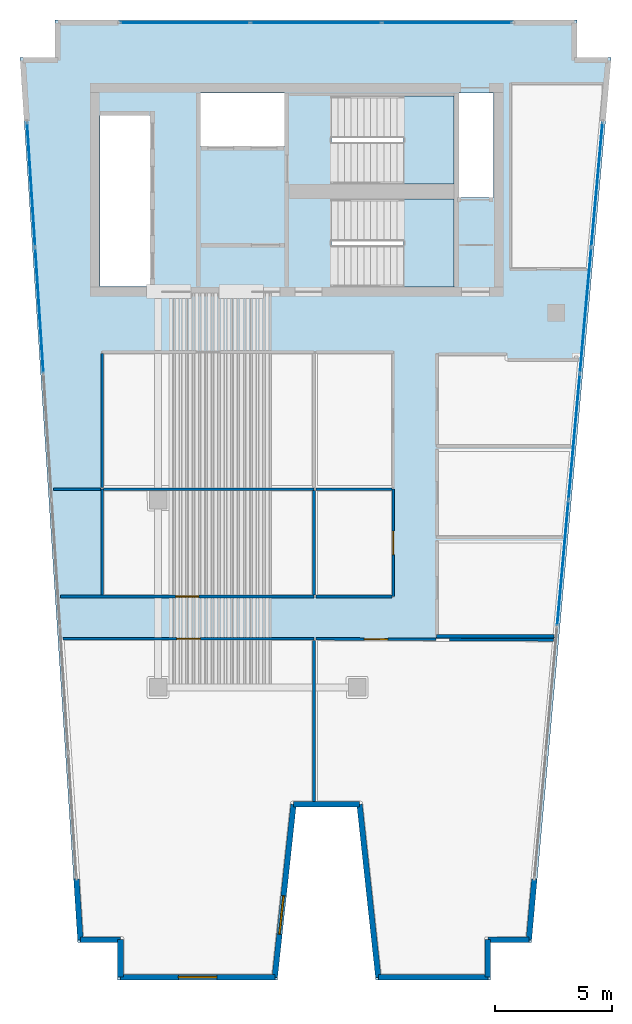
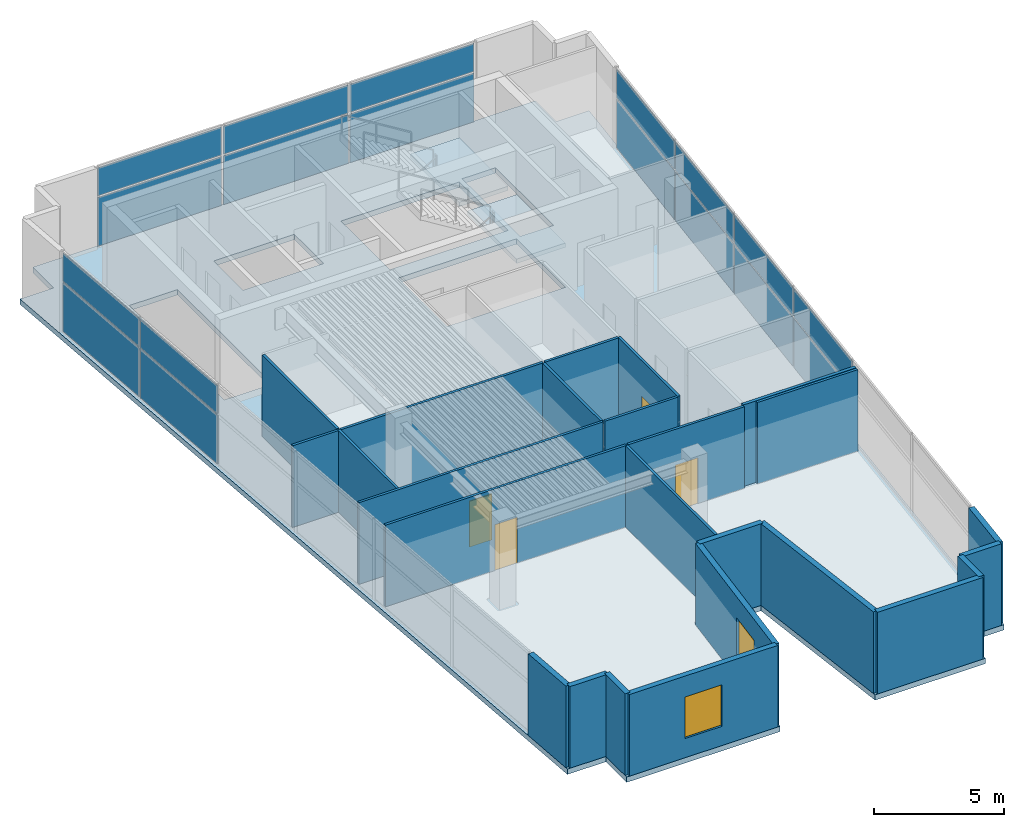
# One storey, part 3 of 7: 25 walls, 18 plates, 4 doors, 3 slabs, 2 windows, 6 openings, 5 elements without a shape of their own.
"""IFC4 building model written with IfcOpenShell, lengths in metres."""

import ifcopenshell
import ifcopenshell.guid

model = None  # the IFC model being written
_history = None  # IfcOwnerHistory: only IFC2X3 demands one
_inside = {}  # id of a spatial element -> (the spatial element, [elements in it])
_under = {}  # id of a project, library or spatial element -> (it, [spatial elements below it])
_declared = {}  # id of a project -> (the project, [libraries it declares])
_typed = {}  # id of a type object -> (the type object, [elements of that type])
_made_of = {}  # id of a material, layer set ... -> (it, [elements and type objects made of it])


def new_model(schema):
    """Start an empty IFC model of exactly this schema.

    Asked for "IFC4X3", IfcOpenShell would pick the latest addendum, in which some entities
    have other attributes; the version numbers below select the first issue.
    IFC2X3 requires an IfcOwnerHistory on every rooted entity: one is made here for all.
    """
    global model, _history
    if schema == "IFC4X3":
        model = ifcopenshell.file(schema_version=(4, 3, 0, 0))
    else:
        model = ifcopenshell.file(schema=schema)
    _inside.clear()
    _under.clear()
    _declared.clear()
    _typed.clear()
    _made_of.clear()
    _history = None
    if model.schema == "IFC2X3":
        org = make("IfcOrganization", Name="unknown")
        user = make(
            "IfcPersonAndOrganization",
            ThePerson=make("IfcPerson", FamilyName="unknown"),
            TheOrganization=org,
        )
        app = make(
            "IfcApplication",
            ApplicationDeveloper=org,
            Version="unknown",
            ApplicationFullName="unknown",
            ApplicationIdentifier="unknown",
        )
        _history = make(
            "IfcOwnerHistory",
            OwningUser=user,
            OwningApplication=app,
            ChangeAction="ADDED",
            CreationDate=0,
        )
    return model


def make(cls, **values):
    """One entity of the class cls with the attributes given. An attribute that is None is left unset."""
    return model.create_entity(
        cls, **{name: value for name, value in values.items() if value is not None}
    )


def rooted(cls, **values):
    """An entity with a GlobalId (a new one), such as an element, a storey or a relation."""
    return make(cls, GlobalId=ifcopenshell.guid.new(), OwnerHistory=_history, **values)


def si_unit(unit_type, name, prefix=None):
    """IfcSIUnit, for example si_unit("LENGTHUNIT", "METRE", prefix="MILLI")."""
    return make("IfcSIUnit", UnitType=unit_type, Prefix=prefix, Name=name)


def assignment(units):
    """IfcUnitAssignment: the units of a project."""
    return None if units is None else make("IfcUnitAssignment", Units=units)


def point(xyz):
    """IfcCartesianPoint."""
    return None if xyz is None else make("IfcCartesianPoint", Coordinates=xyz)


def direction(xyz):
    """IfcDirection."""
    return None if xyz is None else make("IfcDirection", DirectionRatios=xyz)


def frame(location, z_axis=None, x_axis=None):
    """IfcAxis2Placement3D, a coordinate frame: its origin and axes. An axis left out is left unset."""
    return make(
        "IfcAxis2Placement3D",
        Location=point(location),
        Axis=direction(z_axis),
        RefDirection=direction(x_axis),
    )


def frame_2d(location, x_axis=None):
    """IfcAxis2Placement2D, a coordinate frame in the plane: its origin and x axis."""
    return make(
        "IfcAxis2Placement2D", Location=point(location), RefDirection=direction(x_axis)
    )


def origin():
    """The frame at (0, 0, 0) with its axes left unset."""
    return frame((0.0, 0.0, 0.0))


def origin_2d():
    """The frame at (0, 0) in the plane with its x axis left unset."""
    return frame_2d((0.0, 0.0))


def place(relative_to, where):
    """IfcLocalPlacement: puts the frame where relative to a parent placement (None: the world)."""
    return make(
        "IfcLocalPlacement", PlacementRelTo=relative_to, RelativePlacement=where
    )


def context(
    kind, dimensions, precision=None, world=None, true_north=None, identifier=None
):
    """IfcGeometricRepresentationContext, for example the 3D "Model" context."""
    return make(
        "IfcGeometricRepresentationContext",
        ContextIdentifier=identifier,
        ContextType=kind,
        CoordinateSpaceDimension=dimensions,
        Precision=precision,
        WorldCoordinateSystem=world,
        TrueNorth=true_north,
    )


def subcontext(parent, identifier, kind, view, scale=None):
    """IfcGeometricRepresentationSubContext, for example "Body" below "Model"."""
    return make(
        "IfcGeometricRepresentationSubContext",
        ContextIdentifier=identifier,
        ContextType=kind,
        ParentContext=parent,
        TargetScale=scale,
        TargetView=view,
    )


def project(units=None, contexts=None):
    """IfcProject with its units and contexts."""
    return rooted(
        "IfcProject",
        Name="project",
        RepresentationContexts=contexts,
        UnitsInContext=assignment(units),
    )


def spatial(cls, under=None, at=None, **own):
    """A site, building, storey or space (cls), placed at a placement, below another one or the project."""
    s = rooted(cls, ObjectPlacement=at, **own)
    if under is not None:
        _under.setdefault(under.id(), (under, []))[1].append(s)
    return s


def polyline(points):
    """IfcPolyline through the points."""
    return make("IfcPolyline", Points=[point(p) for p in points])


def profile(cls, at=None, kind="AREA", **sizes):
    """A parametric profile (cls). Its sizes go by their IFC names, for example OverallWidth=200.0."""
    return make(cls, ProfileType=kind, Position=at, **sizes)


def rectangle(**sizes):
    """IfcRectangleProfileDef."""
    return profile("IfcRectangleProfileDef", **sizes)


def outline(outer, holes=None, kind="AREA"):
    """IfcArbitraryClosedProfileDef: a profile drawn as a closed curve; with holes, ...WithVoids."""
    if holes is None:
        return make("IfcArbitraryClosedProfileDef", ProfileType=kind, OuterCurve=outer)
    return make(
        "IfcArbitraryProfileDefWithVoids",
        ProfileType=kind,
        OuterCurve=outer,
        InnerCurves=holes,
    )


def extrude(swept, where, along, depth):
    """IfcExtrudedAreaSolid: the profile swept, set in the frame where, extruded along a direction by depth."""
    return make(
        "IfcExtrudedAreaSolid",
        SweptArea=swept,
        Position=where,
        ExtrudedDirection=direction(along),
        Depth=depth,
    )


def shape(context_of_items, identifier, shape_type, items):
    """IfcShapeRepresentation: the items that make up one representation, for example the "Body"."""
    return make(
        "IfcShapeRepresentation",
        ContextOfItems=context_of_items,
        RepresentationIdentifier=identifier,
        RepresentationType=shape_type,
        Items=items,
    )


def material(Name=None, Category=None):
    """IfcMaterial."""
    return make("IfcMaterial", Name=Name, Category=Category)


def layer(
    of_material, thickness, ventilated=None, Name=None, Category=None, Priority=None
):
    """IfcMaterialLayer: one layer of a wall or slab, of a material (None: an air gap)."""
    return make(
        "IfcMaterialLayer",
        Material=of_material,
        LayerThickness=thickness,
        IsVentilated=ventilated,
        Name=Name,
        Category=Category,
        Priority=Priority,
    )


def layer_set(layers, Name=None):
    """IfcMaterialLayerSet."""
    return make("IfcMaterialLayerSet", MaterialLayers=layers, LayerSetName=Name)


def made_of(thing, what):
    """Note that an element or type object is made of a material, layer set ...; save() writes the relation."""
    if what is not None:
        _made_of.setdefault(what.id(), (what, []))[1].append(thing)
    return thing


def type_object(cls, material=None, **own):
    """A type object (cls), such as IfcWallType, which elements share."""
    return made_of(rooted(cls, **own), material)


def element(
    cls,
    number,
    at=None,
    inside=None,
    cuts=None,
    type_object=None,
    material=None,
    context=None,
    identifier="Body",
    shape_type=None,
    held_by="IfcProductDefinitionShape",
    body=None,
    shapes=None,
    **own,
):
    """One element of the class cls, such as IfcWall. Its Tag is "e" and its number.

    at: its placement. inside: the storey or other place that contains it. cuts: it is an
    opening in that element (IfcRelVoidsElement). A single representation is given by context,
    identifier, shape_type and body (its items); several are given by shapes. held_by: the class
    of the entity that holds the representations. save() writes the other relations.
    """
    e = rooted(cls, Tag="e%d" % number, ObjectPlacement=at, **own)
    if body is not None:
        shapes = [shape(context, identifier, shape_type, body)]
    if shapes is not None:
        e.Representation = make(held_by, Representations=shapes)
    if inside is not None:
        _inside.setdefault(inside.id(), (inside, []))[1].append(e)
    if cuts is not None:
        rooted(
            "IfcRelVoidsElement", RelatingBuildingElement=cuts, RelatedOpeningElement=e
        )
    if type_object is not None:
        _typed.setdefault(type_object.id(), (type_object, []))[1].append(e)
    return made_of(e, material)


def fill(opening, filler):
    """IfcRelFillsElement: the door or window that sits in an opening."""
    return rooted(
        "IfcRelFillsElement",
        RelatingOpeningElement=opening,
        RelatedBuildingElement=filler,
    )


def aggregate(whole, parts):
    """IfcRelAggregates: a whole, such as a stair, and the parts it consists of."""
    return rooted("IfcRelAggregates", RelatingObject=whole, RelatedObjects=parts)


def save(model, path):
    """Write the relations noted so far, then the file.

    IfcRelAggregates (storeys below a building ...), IfcRelContainedInSpatialStructure (elements
    in a storey), IfcRelDefinesByType, IfcRelAssociatesMaterial and IfcRelDeclares: one each for
    every whole, place, type object, material and project.
    """
    for whole, parts in _under.values():
        aggregate(whole, parts)
    for where, things in _inside.values():
        rooted(
            "IfcRelContainedInSpatialStructure",
            RelatedElements=things,
            RelatingStructure=where,
        )
    for kind, things in _typed.values():
        rooted("IfcRelDefinesByType", RelatedObjects=things, RelatingType=kind)
    for what, things in _made_of.values():
        rooted("IfcRelAssociatesMaterial", RelatedObjects=things, RelatingMaterial=what)
    for by, libraries in _declared.values():
        rooted("IfcRelDeclares", RelatingContext=by, RelatedDefinitions=libraries)
    model.write(path)


model = new_model("IFC4")

# Units and contexts
model_context = context("Model", 3, precision=1e-05, world=origin(), true_north=direction((0.0, 1.0)))
body_context = subcontext(model_context, "Body", "Model", "MODEL_VIEW")
ifc_project = project(units=[si_unit("LENGTHUNIT", "METRE"), si_unit("AREAUNIT", "SQUARE_METRE"), si_unit("VOLUMEUNIT", "CUBIC_METRE"), si_unit("PLANEANGLEUNIT", "RADIAN"), si_unit("MASSUNIT", "GRAM", prefix="KILO")], contexts=[model_context])

# Site, building, storey
site_placement = place(None, origin())
site = spatial("IfcSite", under=ifc_project, at=site_placement, CompositionType="ELEMENT")
building_placement = place(site_placement, origin())
building = spatial("IfcBuilding", under=site, at=building_placement, Name="Caeloran Harvest Quay", CompositionType="ELEMENT")
storey_placement = place(building_placement, frame((0.0, 0.0, 319.89990234375)))
storey = spatial("IfcBuildingStorey", under=building, at=storey_placement, Name="L77", CompositionType="ELEMENT", Elevation=319.89990234375)

# Curtain wall, plates
ifc_material_1 = material(Name="Aluminium 6063-T6 and Low-E Glazing", Category="aluminium")
ifc_layer_1 = layer(ifc_material_1, 0.239990234375, Name="Aluminium 6063-T6 and Low-E Glazing")
ifc_layer_set_1 = layer_set([ifc_layer_1], Name="Aluminium 6063-T6 and Low-E Glazing")
curtain_wall_type = type_object("IfcCurtainWallType", Name="CW-SYS-CW-7", PredefinedType="USERDEFINED", material=ifc_layer_set_1)
curtain_wall_1_placement = place(storey_placement, origin())
curtain_wall_1 = element("IfcCurtainWall", 1, at=curtain_wall_1_placement, inside=storey, type_object=curtain_wall_type, Name="L77 Unitised Curtain Wall CW-7 Run 3", ObjectType="CURTAIN_WALL", PredefinedType="USERDEFINED")
ifc_material_2 = material(Name="Low-E Double Glazed Vision Glass Unit", Category="glass")
ifc_layer_2 = layer(ifc_material_2, 0.035888671875, Name="Low-E Double Glazed Vision Glass Unit")
ifc_layer_set_2 = layer_set([ifc_layer_2], Name="Low-E Double Glazed Vision Glass Unit")
plate_type = type_object("IfcPlateType", Name="CW-VISION-PANEL", PredefinedType="CURTAIN_PANEL", material=ifc_layer_set_2)
plate_1_placement = place(storey_placement, frame((3.430419921875, 31.0927734375, 0.080078125), z_axis=(0.0, 0.0, 1.0), x_axis=(-0.065166552901, 0.997874401106, 0.0)))
plate_1 = element("IfcPlate", 2, at=plate_1_placement, type_object=plate_type, Name="CW-7 panel 5.1", PredefinedType="CURTAIN_PANEL", context=body_context, shape_type="SweptSolid", body=[
    extrude(rectangle(XDim=5.32666015625, YDim=0.035888671875, at=origin_2d()), origin(), (0.0, 0.0, 1.0), 2.280029296875),
])
plate_2_placement = place(storey_placement, frame((3.430419921875, 31.0927734375, 2.440185546875), z_axis=(0.0, 0.0, 1.0), x_axis=(-0.065166552901, 0.997874401106, 0.0)))
plate_2 = element("IfcPlate", 3, at=plate_2_placement, type_object=plate_type, Name="CW-7 panel 5.2", PredefinedType="CURTAIN_PANEL", context=body_context, shape_type="SweptSolid", body=[
    extrude(rectangle(XDim=5.32666015625, YDim=0.035888671875, at=origin_2d()), origin(), (0.0, 0.0, 1.0), 1.31005859375),
])
plate_3_placement = place(storey_placement, frame((3.07958984375, 36.468017578125, 0.080078125), z_axis=(0.0, 0.0, 1.0), x_axis=(-0.065166552901, 0.997874401106, 0.0)))
plate_3 = element("IfcPlate", 4, at=plate_3_placement, type_object=plate_type, Name="CW-7 panel 6.1", PredefinedType="CURTAIN_PANEL", context=body_context, shape_type="SweptSolid", body=[
    extrude(rectangle(XDim=5.28662109375, YDim=0.035888671875, at=origin_2d()), origin(), (0.0, 0.0, 1.0), 2.280029296875),
])
plate_4_placement = place(storey_placement, frame((3.07958984375, 36.468017578125, 2.440185546875), z_axis=(0.0, 0.0, 1.0), x_axis=(-0.065166552901, 0.997874401106, 0.0)))
plate_4 = element("IfcPlate", 5, at=plate_4_placement, type_object=plate_type, Name="CW-7 panel 6.2", PredefinedType="CURTAIN_PANEL", context=body_context, shape_type="SweptSolid", body=[
    extrude(rectangle(XDim=5.28662109375, YDim=0.035888671875, at=origin_2d()), origin(), (0.0, 0.0, 1.0), 1.31005859375),
])
aggregate(curtain_wall_1, [plate_1, plate_2, plate_3, plate_4])

curtain_wall_2_placement = place(storey_placement, origin())
curtain_wall_2 = element("IfcCurtainWall", 6, at=curtain_wall_2_placement, inside=storey, type_object=curtain_wall_type, Name="L77 Unitised Curtain Wall CW-7 Run 6", ObjectType="CURTAIN_WALL", PredefinedType="USERDEFINED")
plate_5_placement = place(storey_placement, frame((9.64990234375, 43.3798828125, 0.080078125), z_axis=(0.0, 0.0, 1.0), x_axis=(1.0, 0.0, 0.0)))
plate_5 = element("IfcPlate", 7, at=plate_5_placement, type_object=plate_type, Name="CW-7 panel 1.1", PredefinedType="CURTAIN_PANEL", context=body_context, shape_type="SweptSolid", body=[
    extrude(rectangle(XDim=5.5, YDim=0.035888671875, at=origin_2d()), origin(), (0.0, 0.0, 1.0), 2.280029296875),
])
plate_6_placement = place(storey_placement, frame((9.64990234375, 43.3798828125, 2.440185546875), z_axis=(0.0, 0.0, 1.0), x_axis=(1.0, 0.0, 0.0)))
plate_6 = element("IfcPlate", 8, at=plate_6_placement, type_object=plate_type, Name="CW-7 panel 1.2", PredefinedType="CURTAIN_PANEL", context=body_context, shape_type="SweptSolid", body=[
    extrude(rectangle(XDim=5.5, YDim=0.035888671875, at=origin_2d()), origin(), (0.0, 0.0, 1.0), 1.31005859375),
])
plate_7_placement = place(storey_placement, frame((15.25, 43.3798828125, 0.080078125), z_axis=(0.0, 0.0, 1.0), x_axis=(1.0, 0.0, 0.0)))
plate_7 = element("IfcPlate", 9, at=plate_7_placement, type_object=plate_type, Name="CW-7 panel 2.1", PredefinedType="CURTAIN_PANEL", context=body_context, shape_type="SweptSolid", body=[
    extrude(rectangle(XDim=5.5400390625, YDim=0.035888671875, at=origin_2d()), origin(), (0.0, 0.0, 1.0), 2.280029296875),
])
plate_8_placement = place(storey_placement, frame((15.25, 43.3798828125, 2.440185546875), z_axis=(0.0, 0.0, 1.0), x_axis=(1.0, 0.0, 0.0)))
plate_8 = element("IfcPlate", 10, at=plate_8_placement, type_object=plate_type, Name="CW-7 panel 2.2", PredefinedType="CURTAIN_PANEL", context=body_context, shape_type="SweptSolid", body=[
    extrude(rectangle(XDim=5.5400390625, YDim=0.035888671875, at=origin_2d()), origin(), (0.0, 0.0, 1.0), 1.31005859375),
])
plate_9_placement = place(storey_placement, frame((20.85009765625, 43.3798828125, 0.080078125), z_axis=(0.0, 0.0, 1.0), x_axis=(1.0, 0.0, 0.0)))
plate_9 = element("IfcPlate", 11, at=plate_9_placement, type_object=plate_type, Name="CW-7 panel 3.1", PredefinedType="CURTAIN_PANEL", context=body_context, shape_type="SweptSolid", body=[
    extrude(rectangle(XDim=5.5, YDim=0.035888671875, at=origin_2d()), origin(), (0.0, 0.0, 1.0), 2.280029296875),
])
plate_10_placement = place(storey_placement, frame((20.85009765625, 43.3798828125, 2.440185546875), z_axis=(0.0, 0.0, 1.0), x_axis=(1.0, 0.0, 0.0)))
plate_10 = element("IfcPlate", 12, at=plate_10_placement, type_object=plate_type, Name="CW-7 panel 3.2", PredefinedType="CURTAIN_PANEL", context=body_context, shape_type="SweptSolid", body=[
    extrude(rectangle(XDim=5.5, YDim=0.035888671875, at=origin_2d()), origin(), (0.0, 0.0, 1.0), 1.31005859375),
])
aggregate(curtain_wall_2, [plate_5, plate_6, plate_7, plate_8, plate_9, plate_10])

curtain_wall_3_placement = place(storey_placement, origin())
curtain_wall_3 = element("IfcCurtainWall", 13, at=curtain_wall_3_placement, inside=storey, type_object=curtain_wall_type, Name="L77 Unitised Curtain Wall CW-7 Run 9", ObjectType="CURTAIN_WALL", PredefinedType="USERDEFINED")
plate_11_placement = place(storey_placement, frame((27.245849609375, 36.47216796875, 0.080078125), z_axis=(0.0, 0.0, 1.0), x_axis=(-0.089821065146, -0.995957918918, 0.0)))
plate_11 = element("IfcPlate", 14, at=plate_11_placement, type_object=plate_type, Name="CW-7 panel 1.1", PredefinedType="CURTAIN_PANEL", context=body_context, shape_type="SweptSolid", body=[
    extrude(rectangle(XDim=5.298828125, YDim=0.035888671875, at=origin_2d()), origin(), (0.0, 0.0, 1.0), 2.280029296875),
])
plate_12_placement = place(storey_placement, frame((27.245849609375, 36.47216796875, 2.440185546875), z_axis=(0.0, 0.0, 1.0), x_axis=(-0.089821065146, -0.995957918918, 0.0)))
plate_12 = element("IfcPlate", 15, at=plate_12_placement, type_object=plate_type, Name="CW-7 panel 1.2", PredefinedType="CURTAIN_PANEL", context=body_context, shape_type="SweptSolid", body=[
    extrude(rectangle(XDim=5.298828125, YDim=0.035888671875, at=origin_2d()), origin(), (0.0, 0.0, 1.0), 1.31005859375),
])
plate_13_placement = place(storey_placement, frame((26.7607421875, 31.09521484375, 0.080078125), z_axis=(0.0, 0.0, 1.0), x_axis=(-0.089821065146, -0.995957918918, 0.0)))
plate_13 = element("IfcPlate", 16, at=plate_13_placement, type_object=plate_type, Name="CW-7 panel 2.1", PredefinedType="CURTAIN_PANEL", context=body_context, shape_type="SweptSolid", body=[
    extrude(rectangle(XDim=5.338623046875, YDim=0.035888671875, at=origin_2d()), origin(), (0.0, 0.0, 1.0), 2.280029296875),
])
plate_14_placement = place(storey_placement, frame((26.7607421875, 31.09521484375, 2.440185546875), z_axis=(0.0, 0.0, 1.0), x_axis=(-0.089821065146, -0.995957918918, 0.0)))
plate_14 = element("IfcPlate", 17, at=plate_14_placement, type_object=plate_type, Name="CW-7 panel 2.2", PredefinedType="CURTAIN_PANEL", context=body_context, shape_type="SweptSolid", body=[
    extrude(rectangle(XDim=5.338623046875, YDim=0.035888671875, at=origin_2d()), origin(), (0.0, 0.0, 1.0), 1.31005859375),
])
plate_15_placement = place(storey_placement, frame((26.274169921875, 25.698486328125, 0.080078125), z_axis=(0.0, 0.0, 1.0), x_axis=(-0.089821065146, -0.995957918918, 0.0)))
plate_15 = element("IfcPlate", 18, at=plate_15_placement, type_object=plate_type, Name="CW-7 panel 3.1", PredefinedType="CURTAIN_PANEL", context=body_context, shape_type="SweptSolid", body=[
    extrude(rectangle(XDim=5.338623046875, YDim=0.035888671875, at=origin_2d()), origin(), (0.0, 0.0, 1.0), 2.280029296875),
])
plate_16_placement = place(storey_placement, frame((26.274169921875, 25.698486328125, 2.440185546875), z_axis=(0.0, 0.0, 1.0), x_axis=(-0.089821065146, -0.995957918918, 0.0)))
plate_16 = element("IfcPlate", 19, at=plate_16_placement, type_object=plate_type, Name="CW-7 panel 3.2", PredefinedType="CURTAIN_PANEL", context=body_context, shape_type="SweptSolid", body=[
    extrude(rectangle(XDim=5.338623046875, YDim=0.035888671875, at=origin_2d()), origin(), (0.0, 0.0, 1.0), 1.31005859375),
])
plate_17_placement = place(storey_placement, frame((25.787353515625, 20.301513671875, 0.080078125), z_axis=(0.0, 0.0, 1.0), x_axis=(-0.089821065146, -0.995957918918, 0.0)))
plate_17 = element("IfcPlate", 20, at=plate_17_placement, type_object=plate_type, Name="CW-7 panel 4.1", PredefinedType="CURTAIN_PANEL", context=body_context, shape_type="SweptSolid", body=[
    extrude(rectangle(XDim=5.338623046875, YDim=0.035888671875, at=origin_2d()), origin(), (0.0, 0.0, 1.0), 2.280029296875),
])
plate_18_placement = place(storey_placement, frame((25.787353515625, 20.301513671875, 2.440185546875), z_axis=(0.0, 0.0, 1.0), x_axis=(-0.089821065146, -0.995957918918, 0.0)))
plate_18 = element("IfcPlate", 21, at=plate_18_placement, type_object=plate_type, Name="CW-7 panel 4.2", PredefinedType="CURTAIN_PANEL", context=body_context, shape_type="SweptSolid", body=[
    extrude(rectangle(XDim=5.338623046875, YDim=0.035888671875, at=origin_2d()), origin(), (0.0, 0.0, 1.0), 1.31005859375),
])
aggregate(curtain_wall_3, [plate_11, plate_12, plate_13, plate_14, plate_15, plate_16, plate_17, plate_18])

# Slab
ifc_material_3 = material(Name="Concrete C50/60", Category="concrete")
ifc_layer_3 = layer(ifc_material_3, 0.25, Name="Concrete C50/60")
ifc_layer_set_3 = layer_set([ifc_layer_3], Name="Concrete C50/60")
slab_type_1 = type_object("IfcSlabType", Name="SLAB-FS-250", PredefinedType="FLOOR", material=ifc_layer_set_3)
slab_1_placement = place(storey_placement, frame((0.0, 0.0, -0.25)))
element("IfcSlab", 22, at=slab_1_placement, inside=storey, type_object=slab_type_1, Name="L77 Structural Floor Slab", PredefinedType="FLOOR", context=body_context, shape_type="SweptSolid", body=[
    extrude(outline(polyline([(6.777587890625, 2.5), (13.592529296875, 2.5), (14.392578125, 9.8798828125), (17.0, 9.8798828125), (17.800048828125, 2.5), (22.702392578125, 2.5), (22.702392578125, 4.10009765625), (24.44677734375, 4.10009765625), (27.855712890625, 41.89990234375), (26.39990234375, 41.89990234375), (26.39990234375, 43.5), (4.10009765625, 43.5), (4.10009765625, 41.89990234375), (2.6044921875, 41.89990234375), (5.072998046875, 4.10009765625), (6.777587890625, 4.10009765625), (6.777587890625, 2.5)]), holes=[polyline([(21.14990234375, 32.10009765625), (15.89990234375, 32.10009765625), (15.89990234375, 35.85009765625), (21.14990234375, 35.85009765625), (21.14990234375, 32.10009765625)]), polyline([(8.159912109375, 39.419921875), (8.159912109375, 32.1201171875), (6.02001953125, 32.1201171875), (6.02001953125, 39.419921875), (8.159912109375, 39.419921875)]), polyline([(22.830078125, 40.3798828125), (22.830078125, 35.919921875), (21.35009765625, 35.919921875), (21.35009765625, 40.3798828125), (22.830078125, 40.3798828125)]), polyline([(15.89990234375, 36.5), (15.89990234375, 40.25), (21.14990234375, 40.25), (21.14990234375, 36.5), (15.89990234375, 36.5)]), polyline([(13.89990234375, 38.1201171875), (10.320068359375, 38.1201171875), (10.320068359375, 40.3798828125), (13.89990234375, 40.3798828125), (13.89990234375, 38.1201171875)])]), origin(), (0.0, 0.0, 1.0), 0.25),
])

# Stair, slab
stair_type = type_object("IfcStairType", Name="STAIR-STC-180", PredefinedType="HALF_TURN_STAIR", material=ifc_material_3)
stair_1_placement = place(storey_placement, origin())
stair_1 = element("IfcStair", 23, at=stair_1_placement, inside=storey, type_object=stair_type, Name="L77 Core Pressurized Exit Stair ST-C1", PredefinedType="HALF_TURN_STAIR")
ifc_layer_4 = layer(ifc_material_3, 0.219970703125, Name="Concrete C50/60")
ifc_layer_set_4 = layer_set([ifc_layer_4], Name="Concrete C50/60")
slab_type_2 = type_object("IfcSlabType", Name="STAIR-LANDING-220", PredefinedType="LANDING", material=ifc_layer_set_4)
slab_2_placement = place(storey_placement, frame((0.0, 0.0, 1.875)))
slab_2 = element("IfcSlab", 24, at=slab_2_placement, type_object=slab_type_2, Name="ST-C1 landing 1", PredefinedType="LANDING", context=body_context, shape_type="SweptSolid", body=[
    extrude(outline(polyline([(18.97998046875, 36.5), (21.14990234375, 36.5), (21.14990234375, 40.25), (18.97998046875, 40.25), (18.97998046875, 36.5)])), origin(), (0.0, 0.0, 1.0), 0.2001953125),
])
aggregate(stair_1, [slab_2])

stair_2_placement = place(storey_placement, origin())
stair_2 = element("IfcStair", 25, at=stair_2_placement, inside=storey, type_object=stair_type, Name="L77 Core Pressurized Exit Stair ST-C2", PredefinedType="HALF_TURN_STAIR")
slab_3_placement = place(storey_placement, frame((0.0, 0.0, 1.875)))
slab_3 = element("IfcSlab", 26, at=slab_3_placement, type_object=slab_type_2, Name="ST-C2 landing 1", PredefinedType="LANDING", context=body_context, shape_type="SweptSolid", body=[
    extrude(outline(polyline([(18.97998046875, 32.10009765625), (21.14990234375, 32.10009765625), (21.14990234375, 35.85009765625), (18.97998046875, 35.85009765625), (18.97998046875, 32.10009765625)])), origin(), (0.0, 0.0, 1.0), 0.2001953125),
])
aggregate(stair_2, [slab_3])

# Walls
ifc_material_4 = material(Name="Precast concrete C50/60", Category="concrete")
ifc_layer_5 = layer(ifc_material_4, 0.239990234375, Name="Precast concrete C50/60")
ifc_layer_set_5 = layer_set([ifc_layer_5], Name="Precast concrete C50/60")
wall_type_1 = type_object("IfcWallType", Name="ENV-WALL-EW-240", PredefinedType="STANDARD", material=ifc_layer_set_5)
wall_1_placement = place(storey_placement, frame((6.8974609375, 2.6201171875, 0.0), z_axis=(0.0, 0.0, 1.0), x_axis=(0.0, 1.0, 0.0)))
element("IfcWall", 27, at=wall_1_placement, inside=storey, type_object=wall_type_1, Name="L77 Exterior Precast Concrete Facade Wall 1", PredefinedType="STANDARD", context=body_context, shape_type="SweptSolid", body=[
    extrude(rectangle(XDim=1.599853515625, YDim=0.239990234375, at=frame_2d((0.7998046875, 0.0))), origin(), (0.0, 0.0, 1.0), 3.830078125),
])
wall_2_placement = place(storey_placement, frame((6.8974609375, 4.219970703125, 0.0), z_axis=(0.0, 0.0, 1.0), x_axis=(-1.0, 0.0, 0.0)))
element("IfcWall", 28, at=wall_2_placement, inside=storey, type_object=wall_type_1, Name="L77 Exterior Precast Concrete Facade Wall 2", PredefinedType="STANDARD", context=body_context, shape_type="SweptSolid", body=[
    extrude(rectangle(XDim=1.712158203125, YDim=0.239990234375, at=frame_2d((0.85595703125, 0.0))), origin(), (0.0, 0.0, 1.0), 3.830078125),
])
for number, where, z_axis, x_axis, name in (
    (29, (5.185302734375, 4.219970703125, 0.0), (0.0, 0.0, 1.0), (-0.065073039336, 0.997880503643, 0.0), "L77 Exterior Facade Corner Pier Wall 3A"),
    (30, (24.570556640625, 6.8095703125, 0.0), (0.0, 0.0, 1.0), (-0.089765303723, -0.995962946222, 0.0), "L77 Exterior Facade Corner Pier Wall 9B"),
):
    element("IfcWall", number, at=place(storey_placement, frame(where, z_axis=z_axis, x_axis=x_axis)), inside=storey, type_object=wall_type_1, Name=name, PredefinedType="STANDARD", context=body_context, shape_type="SweptSolid", body=[
        extrude(rectangle(XDim=2.60009765625, YDim=0.239990234375, at=frame_2d((1.300048828125, 0.0))), origin(), (0.0, 0.0, 1.0), 3.830078125),
    ])
wall_3_placement = place(storey_placement, frame((24.337158203125, 4.219970703125, 0.0), z_axis=(0.0, 0.0, 1.0), x_axis=(-1.0, 0.0, 0.0)))
element("IfcWall", 31, at=wall_3_placement, inside=storey, type_object=wall_type_1, Name="L77 Exterior Precast Concrete Facade Wall 10", PredefinedType="STANDARD", context=body_context, shape_type="SweptSolid", body=[
    extrude(rectangle(XDim=1.754638671875, YDim=0.239990234375, at=frame_2d((0.87744140625, 0.0))), origin(), (0.0, 0.0, 1.0), 3.830078125),
])
wall_4_placement = place(storey_placement, frame((22.58251953125, 4.219970703125, 0.0), z_axis=(0.0, 0.0, 1.0), x_axis=(0.0, -1.0, 0.0)))
element("IfcWall", 32, at=wall_4_placement, inside=storey, type_object=wall_type_1, Name="L77 Exterior Precast Concrete Facade Wall 11", PredefinedType="STANDARD", context=body_context, shape_type="SweptSolid", body=[
    extrude(rectangle(XDim=1.599853515625, YDim=0.239990234375, at=frame_2d((0.7998046875, 0.0))), origin(), (0.0, 0.0, 1.0), 3.830078125),
])
wall_5_placement = place(storey_placement, frame((22.58251953125, 2.6201171875, 0.0), z_axis=(0.0, 0.0, 1.0), x_axis=(-1.0, 0.0, 0.0)))
element("IfcWall", 33, at=wall_5_placement, inside=storey, type_object=wall_type_1, Name="L77 Exterior Precast Concrete Facade Wall 12", PredefinedType="STANDARD", context=body_context, shape_type="SweptSolid", body=[
    extrude(rectangle(XDim=4.6748046875, YDim=0.239990234375, at=frame_2d((2.33740234375, 0.0))), origin(), (0.0, 0.0, 1.0), 3.830078125),
])
wall_6_placement = place(storey_placement, frame((17.90771484375, 2.6201171875, 0.0), z_axis=(0.0, 0.0, 1.0), x_axis=(-0.107777936076, 0.994174992894, 0.0)))
element("IfcWall", 34, at=wall_6_placement, inside=storey, type_object=wall_type_1, Name="L77 Exterior Precast Concrete Facade Wall 13", PredefinedType="STANDARD", context=body_context, shape_type="SweptSolid", body=[
    extrude(rectangle(XDim=7.423095703125, YDim=0.239990234375, at=frame_2d((3.71142578125, 0.0))), origin(), (0.0, 0.0, 1.0), 3.830078125),
])
wall_7_placement = place(storey_placement, frame((17.107666015625, 10.0, 0.0), z_axis=(0.0, 0.0, 1.0), x_axis=(-1.0, 0.0, 0.0)))
element("IfcWall", 35, at=wall_7_placement, inside=storey, type_object=wall_type_1, Name="L77 Exterior Precast Concrete Facade Wall 14", PredefinedType="STANDARD", context=body_context, shape_type="SweptSolid", body=[
    extrude(rectangle(XDim=2.82275390625, YDim=0.239990234375, at=frame_2d((1.411376953125, 0.0))), origin(), (0.0, 0.0, 1.0), 3.830078125),
])

# Wall, opening, window
wall_8_placement = place(storey_placement, frame((14.284912109375, 10.0, 0.0), z_axis=(0.0, 0.0, 1.0), x_axis=(-0.107777936076, -0.994174992894, 0.0)))
wall_8 = element("IfcWall", 36, at=wall_8_placement, inside=storey, type_object=wall_type_1, Name="L77 Exterior Precast Concrete Facade Wall 15", PredefinedType="STANDARD", context=body_context, shape_type="SweptSolid", body=[
    extrude(rectangle(XDim=7.423095703125, YDim=0.239990234375, at=frame_2d((3.71142578125, 0.0))), origin(), (0.0, 0.0, 1.0), 3.830078125),
])
opening_1_placement = place(wall_8_placement, frame((3.926025390625, 0.0, 0.89990234375)))
opening_1 = element("IfcOpeningElement", 37, at=opening_1_placement, cuts=wall_8, Name="Opening W-08", PredefinedType="OPENING", context=body_context, shape_type="SweptSolid", body=[
    extrude(rectangle(XDim=1.64990234375, YDim=1.949951171875, at=frame_2d((0.824951171875, 0.97509765625))), frame((0.0, 0.1298828125, 0.0), z_axis=(0.0, -1.0, 0.0), x_axis=(1.0, 0.0, 0.0)), (0.0, 0.0, 1.0), 0.260009765625),
])
ifc_material_5 = material(Name="Aluminium-Framed Low-E Laminated Glass", Category="aluminium")
window_type = type_object("IfcWindowType", Name="WIN-W-08", PartitioningType="SINGLE_PANEL", PredefinedType="WINDOW", material=ifc_material_5)
window_1_placement = place(opening_1_placement, origin())
window_1 = element("IfcWindow", 38, at=window_1_placement, inside=storey, type_object=window_type, Name="L77 Facade Punched Window W-08", OverallHeight=1.949951171875, OverallWidth=1.64990234375, PartitioningType="SINGLE_PANEL", PredefinedType="WINDOW", context=body_context, shape_type="SweptSolid", body=[
    extrude(rectangle(XDim=1.64990234375, YDim=1.949951171875, at=frame_2d((0.824951171875, 0.97509765625))), frame((0.0, 0.030029296875, 0.0), z_axis=(0.0, -1.0, 0.0), x_axis=(1.0, 0.0, 0.0)), (0.0, 0.0, 1.0), 0.06005859375),
])
fill(opening_1, window_1)

wall_9_placement = place(storey_placement, frame((13.48486328125, 2.6201171875, 0.0), z_axis=(0.0, 0.0, 1.0), x_axis=(-1.0, 0.0, 0.0)))
wall_9 = element("IfcWall", 39, at=wall_9_placement, inside=storey, type_object=wall_type_1, Name="L77 Exterior Precast Concrete Facade Wall 16", PredefinedType="STANDARD", context=body_context, shape_type="SweptSolid", body=[
    extrude(rectangle(XDim=6.58740234375, YDim=0.239990234375, at=frame_2d((3.293701171875, 0.0))), origin(), (0.0, 0.0, 1.0), 3.830078125),
])
opening_2_placement = place(wall_9_placement, frame((2.468994140625, 0.0, 0.89990234375)))
opening_2 = element("IfcOpeningElement", 40, at=opening_2_placement, cuts=wall_9, Name="Opening W-08", PredefinedType="OPENING", context=body_context, shape_type="SweptSolid", body=[
    extrude(rectangle(XDim=1.64990234375, YDim=1.949951171875, at=frame_2d((0.824951171875, 0.97509765625))), frame((0.0, 0.1298828125, 0.0), z_axis=(0.0, -1.0, 0.0), x_axis=(1.0, 0.0, 0.0)), (0.0, 0.0, 1.0), 0.260009765625),
])
window_2_placement = place(opening_2_placement, origin())
window_2 = element("IfcWindow", 41, at=window_2_placement, inside=storey, type_object=window_type, Name="L77 Facade Punched Window W-08", OverallHeight=1.949951171875, OverallWidth=1.64990234375, PartitioningType="SINGLE_PANEL", PredefinedType="WINDOW", context=body_context, shape_type="SweptSolid", body=[
    extrude(rectangle(XDim=1.64990234375, YDim=1.949951171875, at=frame_2d((0.824951171875, 0.97509765625))), frame((0.0, 0.030029296875, 0.0), z_axis=(0.0, -1.0, 0.0), x_axis=(1.0, 0.0, 0.0)), (0.0, 0.0, 1.0), 0.06005859375),
])
fill(opening_2, window_2)

# Wall, opening, door
ifc_material_6 = material(Name="Single-Stud Acoustic Gypsum Office Partition", Category="gypsum")
ifc_layer_6 = layer(ifc_material_6, 0.112060546875, Name="Single-Stud Acoustic Gypsum Office Partition")
ifc_layer_set_6 = layer_set([ifc_layer_6], Name="Single-Stud Acoustic Gypsum Office Partition")
wall_type_2 = type_object("IfcWallType", Name="INT-WALL-PW-112", PredefinedType="PARTITIONING", material=ifc_layer_set_6)
wall_10_placement = place(storey_placement, frame((4.451416015625, 17.070068359375, 0.0), z_axis=(0.0, 0.0, 1.0), x_axis=(1.0, 0.0, 0.0)))
wall_10 = element("IfcWall", 42, at=wall_10_placement, inside=storey, type_object=wall_type_2, Name="Pinnacle Botanical Observatory Studio Partition Wall", PredefinedType="PARTITIONING", context=body_context, shape_type="SweptSolid", body=[
    extrude(rectangle(XDim=10.70849609375, YDim=0.112060546875, at=frame_2d((5.354248046875, 0.0))), origin(), (0.0, 0.0, 1.0), 3.830078125),
])
opening_3_placement = place(wall_10_placement, frame((4.854248046875, 0.0, 0.0)))
opening_3 = element("IfcOpeningElement", 43, at=opening_3_placement, cuts=wall_10, Name="Opening ID-01", PredefinedType="OPENING", context=body_context, shape_type="SweptSolid", body=[
    extrude(rectangle(XDim=1.0, YDim=2.14990234375, at=frame_2d((0.5, 1.074951171875))), frame((0.0, 0.06591796875, 0.0), z_axis=(0.0, -1.0, 0.0), x_axis=(1.0, 0.0, 0.0)), (0.0, 0.0, 1.0), 0.132080078125),
])
ifc_material_7 = material(Name="FSC Solid-Core Ash Timber and Acoustic Seal", Category="wood")
door_type = type_object("IfcDoorType", Name="INTDOOR-ID-01", OperationType="NOTDEFINED", PredefinedType="DOOR", material=ifc_material_7)
door_1_placement = place(opening_3_placement, origin())
door_1 = element("IfcDoor", 44, at=door_1_placement, inside=storey, type_object=door_type, Name="Pinnacle Botanical Observatory Studio Access Door", OperationType="SINGLE_SWING_LEFT", OverallHeight=2.14990234375, OverallWidth=1.0, PredefinedType="DOOR", context=body_context, shape_type="SweptSolid", body=[
    extrude(rectangle(XDim=1.0, YDim=2.14990234375, at=frame_2d((0.5, 1.074951171875))), frame((0.0, 0.02490234375, 0.0), z_axis=(0.0, -1.0, 0.0), x_axis=(1.0, 0.0, 0.0)), (0.0, 0.0, 1.0), 0.050048828125),
])
fill(opening_3, door_1)

# Walls
wall_11_placement = place(storey_placement, frame((15.159912109375, 17.009033203125, 0.0), z_axis=(0.0, 0.0, 1.0), x_axis=(0.0, -1.0, 0.0)))
element("IfcWall", 45, at=wall_11_placement, inside=storey, type_object=wall_type_2, Name="Pinnacle Botanical Observatory Studio Partition Wall", PredefinedType="PARTITIONING", context=body_context, shape_type="SweptSolid", body=[
    extrude(rectangle(XDim=6.884033203125, YDim=0.112060546875, at=frame_2d((3.44189453125, 0.0))), origin(), (0.0, 0.0, 1.0), 3.830078125),
])
wall_12_placement = place(storey_placement, frame((20.947021484375, 17.0419921875, 0.0), z_axis=(0.0, 0.0, 1.0), x_axis=(0.999988019942, -0.004894892409, 0.0)))
element("IfcWall", 46, at=wall_12_placement, inside=storey, type_object=wall_type_2, Name="Diplomatic Conference Hall Partition Wall", PredefinedType="PARTITIONING", context=body_context, shape_type="SweptSolid", body=[
    extrude(rectangle(XDim=4.43896484375, YDim=0.112060546875, at=frame_2d((2.219482421875, 0.0))), origin(), (0.0, 0.0, 1.0), 3.830078125),
])

# Wall, opening, door
wall_13_placement = place(storey_placement, frame((15.239990234375, 17.070068359375, 0.0), z_axis=(0.0, 0.0, 1.0), x_axis=(0.999988036902, -0.0048914265, 0.0)))
wall_13 = element("IfcWall", 47, at=wall_13_placement, inside=storey, type_object=wall_type_2, Name="Diplomatic Conference Hall Partition Wall", PredefinedType="PARTITIONING", context=body_context, shape_type="SweptSolid", body=[
    extrude(rectangle(XDim=5.140869140625, YDim=0.112060546875, at=frame_2d((2.5703125, 0.0))), origin(), (0.0, 0.0, 1.0), 3.830078125),
])
opening_4_placement = place(wall_13_placement, frame((2.070556640625, 0.0, 0.0)))
opening_4 = element("IfcOpeningElement", 48, at=opening_4_placement, cuts=wall_13, Name="Opening ID-01", PredefinedType="OPENING", context=body_context, shape_type="SweptSolid", body=[
    extrude(rectangle(XDim=1.0, YDim=2.14990234375, at=frame_2d((0.5, 1.074951171875))), frame((0.0, 0.06591796875, 0.0), z_axis=(0.0, -1.0, 0.0), x_axis=(1.0, 0.0, 0.0)), (0.0, 0.0, 1.0), 0.132080078125),
])
door_2_placement = place(opening_4_placement, origin())
door_2 = element("IfcDoor", 49, at=door_2_placement, inside=storey, type_object=door_type, Name="Diplomatic Conference Hall Access Door", OperationType="SINGLE_SWING_RIGHT", OverallHeight=2.14990234375, OverallWidth=1.0, PredefinedType="DOOR", context=body_context, shape_type="SweptSolid", body=[
    extrude(rectangle(XDim=1.0, YDim=2.14990234375, at=frame_2d((0.5, 1.074951171875))), frame((0.0, 0.02490234375, 0.0), z_axis=(0.0, -1.0, 0.0), x_axis=(1.0, 0.0, 0.0)), (0.0, 0.0, 1.0), 0.050048828125),
])
fill(opening_4, door_2)

wall_14_placement = place(storey_placement, frame((15.159912109375, 18.8798828125, 0.0), z_axis=(0.0, 0.0, 1.0), x_axis=(-1.0, 0.0, 0.0)))
wall_14 = element("IfcWall", 50, at=wall_14_placement, inside=storey, type_object=wall_type_2, Name="Private Family Meeting Room Partition Wall", PredefinedType="PARTITIONING", context=body_context, shape_type="SweptSolid", body=[
    extrude(rectangle(XDim=10.82666015625, YDim=0.112060546875, at=frame_2d((5.413330078125, 0.0))), origin(), (0.0, 0.0, 1.0), 3.830078125),
])
opening_5_placement = place(wall_14_placement, frame((4.913330078125, 0.0, 0.0)))
opening_5 = element("IfcOpeningElement", 51, at=opening_5_placement, cuts=wall_14, Name="Opening ID-01", PredefinedType="OPENING", context=body_context, shape_type="SweptSolid", body=[
    extrude(rectangle(XDim=1.0, YDim=2.14990234375, at=frame_2d((0.5, 1.074951171875))), frame((0.0, 0.06591796875, 0.0), z_axis=(0.0, -1.0, 0.0), x_axis=(1.0, 0.0, 0.0)), (0.0, 0.0, 1.0), 0.132080078125),
])
door_3_placement = place(opening_5_placement, origin())
door_3 = element("IfcDoor", 52, at=door_3_placement, inside=storey, type_object=door_type, Name="Private Family Meeting Room Access Door", OperationType="SINGLE_SWING_LEFT", OverallHeight=2.14990234375, OverallWidth=1.0, PredefinedType="DOOR", context=body_context, shape_type="SweptSolid", body=[
    extrude(rectangle(XDim=1.0, YDim=2.14990234375, at=frame_2d((0.5, 1.074951171875))), frame((0.0, 0.02490234375, 0.0), z_axis=(0.0, -1.0, 0.0), x_axis=(1.0, 0.0, 0.0)), (0.0, 0.0, 1.0), 0.050048828125),
])
fill(opening_5, door_3)

# Walls
wall_15_placement = place(storey_placement, frame((6.110107421875, 18.94091796875, 0.0), z_axis=(0.0, 0.0, 1.0), x_axis=(0.0, 1.0, 0.0)))
element("IfcWall", 53, at=wall_15_placement, inside=storey, type_object=wall_type_2, Name="Private Family Meeting Room Partition Wall", PredefinedType="PARTITIONING", context=body_context, shape_type="SweptSolid", body=[
    extrude(rectangle(XDim=4.51904296875, YDim=0.112060546875, at=frame_2d((2.259521484375, 0.0))), origin(), (0.0, 0.0, 1.0), 3.830078125),
])
wall_16_placement = place(storey_placement, frame((4.0341796875, 23.4599609375, 0.0), z_axis=(0.0, 0.0, 1.0), x_axis=(1.0, 0.0, 0.0)))
element("IfcWall", 54, at=wall_16_placement, inside=storey, type_object=wall_type_2, Name="Private Family Meeting Room Partition Wall", PredefinedType="PARTITIONING", context=body_context, shape_type="SweptSolid", body=[
    extrude(rectangle(XDim=2.014892578125, YDim=0.112060546875, at=frame_2d((1.00732421875, 0.0))), origin(), (0.0, 0.0, 1.0), 3.830078125),
])
wall_17_placement = place(storey_placement, frame((6.1708984375, 23.4599609375, 0.0), z_axis=(0.0, 0.0, 1.0), x_axis=(1.0, 0.0, 0.0)))
element("IfcWall", 55, at=wall_17_placement, inside=storey, type_object=wall_type_2, Name="Private Family Meeting Room Partition Wall", PredefinedType="PARTITIONING", context=body_context, shape_type="SweptSolid", body=[
    extrude(rectangle(XDim=8.989013671875, YDim=0.112060546875, at=frame_2d((4.49462890625, 0.0))), origin(), (0.0, 0.0, 1.0), 3.830078125),
])
wall_18_placement = place(storey_placement, frame((15.159912109375, 23.39892578125, 0.0), z_axis=(0.0, 0.0, 1.0), x_axis=(0.0, -1.0, 0.0)))
element("IfcWall", 56, at=wall_18_placement, inside=storey, type_object=wall_type_2, Name="Private Family Meeting Room Partition Wall", PredefinedType="PARTITIONING", context=body_context, shape_type="SweptSolid", body=[
    extrude(rectangle(XDim=4.4580078125, YDim=0.112060546875, at=frame_2d((2.22900390625, 0.0))), origin(), (0.0, 0.0, 1.0), 3.830078125),
])

# Wall, opening, door
wall_19_placement = place(storey_placement, frame((18.550048828125, 23.4599609375, 0.0), z_axis=(0.0, 0.0, 1.0), x_axis=(0.0, -1.0, 0.0)))
wall_19 = element("IfcWall", 57, at=wall_19_placement, inside=storey, type_object=wall_type_2, Name="Pinnacle Tasting Salon Lounge Partition Wall", PredefinedType="PARTITIONING", context=body_context, shape_type="SweptSolid", body=[
    extrude(rectangle(XDim=4.580078125, YDim=0.112060546875, at=frame_2d((2.2900390625, 0.0))), origin(), (0.0, 0.0, 1.0), 3.830078125),
])
opening_6_placement = place(wall_19_placement, frame((1.7900390625, 0.0, 0.0)))
opening_6 = element("IfcOpeningElement", 58, at=opening_6_placement, cuts=wall_19, Name="Opening ID-01", PredefinedType="OPENING", context=body_context, shape_type="SweptSolid", body=[
    extrude(rectangle(XDim=1.0, YDim=2.14990234375, at=frame_2d((0.5, 1.074951171875))), frame((0.0, 0.06591796875, 0.0), z_axis=(0.0, -1.0, 0.0), x_axis=(1.0, 0.0, 0.0)), (0.0, 0.0, 1.0), 0.132080078125),
])
door_4_placement = place(opening_6_placement, origin())
door_4 = element("IfcDoor", 59, at=door_4_placement, inside=storey, type_object=door_type, Name="Pinnacle Tasting Salon Lounge Access Door", OperationType="SINGLE_SWING_RIGHT", OverallHeight=2.14990234375, OverallWidth=1.0, PredefinedType="DOOR", context=body_context, shape_type="SweptSolid", body=[
    extrude(rectangle(XDim=1.0, YDim=2.14990234375, at=frame_2d((0.5, 1.074951171875))), frame((0.0, 0.02490234375, 0.0), z_axis=(0.0, -1.0, 0.0), x_axis=(1.0, 0.0, 0.0)), (0.0, 0.0, 1.0), 0.050048828125),
])
fill(opening_6, door_4)

# Walls
for number, where, z_axis, x_axis, name in (
    (60, (18.489013671875, 18.8798828125, 0.0), (0.0, 0.0, 1.0), (-1.0, 0.0, 0.0), "Pinnacle Tasting Salon Lounge Partition Wall"),
    (61, (15.239990234375, 23.4599609375, 0.0), (0.0, 0.0, 1.0), (1.0, 0.0, 0.0), "Pinnacle Tasting Salon Lounge Partition Wall"),
):
    element("IfcWall", number, at=place(storey_placement, frame(where, z_axis=z_axis, x_axis=x_axis)), inside=storey, type_object=wall_type_2, Name=name, PredefinedType="PARTITIONING", context=body_context, shape_type="SweptSolid", body=[
        extrude(rectangle(XDim=3.2490234375, YDim=0.112060546875, at=frame_2d((1.62451171875, 0.0))), origin(), (0.0, 0.0, 1.0), 3.830078125),
    ])
wall_20_placement = place(storey_placement, frame((6.110107421875, 23.5400390625, 0.0), z_axis=(0.0, 0.0, 1.0), x_axis=(0.0, 1.0, 0.0)))
element("IfcWall", 62, at=wall_20_placement, inside=storey, type_object=wall_type_2, Name="Artisanal Tea Kitchen Partition Wall", PredefinedType="PARTITIONING", context=body_context, shape_type="SweptSolid", body=[
    extrude(rectangle(XDim=5.718994140625, YDim=0.112060546875, at=frame_2d((2.859375, 0.0))), origin(), (0.0, 0.0, 1.0), 3.830078125),
])
ifc_material_8 = material(Name="Moisture-Resistant Cement-Board Sanitary Partition", Category="gypsum")
ifc_layer_7 = layer(ifc_material_8, 0.139892578125, Name="Moisture-Resistant Cement-Board Sanitary Partition")
ifc_layer_set_7 = layer_set([ifc_layer_7], Name="Moisture-Resistant Cement-Board Sanitary Partition")
wall_type_3 = type_object("IfcWallType", Name="INT-WALL-PW-140", PredefinedType="PARTITIONING", material=ifc_layer_set_7)
wall_21_placement = place(storey_placement, frame((25.400390625, 17.179931640625, 0.0), z_axis=(0.0, 0.0, 1.0), x_axis=(-1.0, 0.0, 0.0)))
element("IfcWall", 63, at=wall_21_placement, inside=storey, type_object=wall_type_3, Name="L77 Accessible Unisex Washroom WC Partition Wall", PredefinedType="PARTITIONING", context=body_context, shape_type="SweptSolid", body=[
    extrude(rectangle(XDim=5.00048828125, YDim=0.139892578125, at=frame_2d((2.500244140625, 0.0))), origin(), (0.0, 0.0, 1.0), 3.830078125),
])

save(model, "model.ifc")
